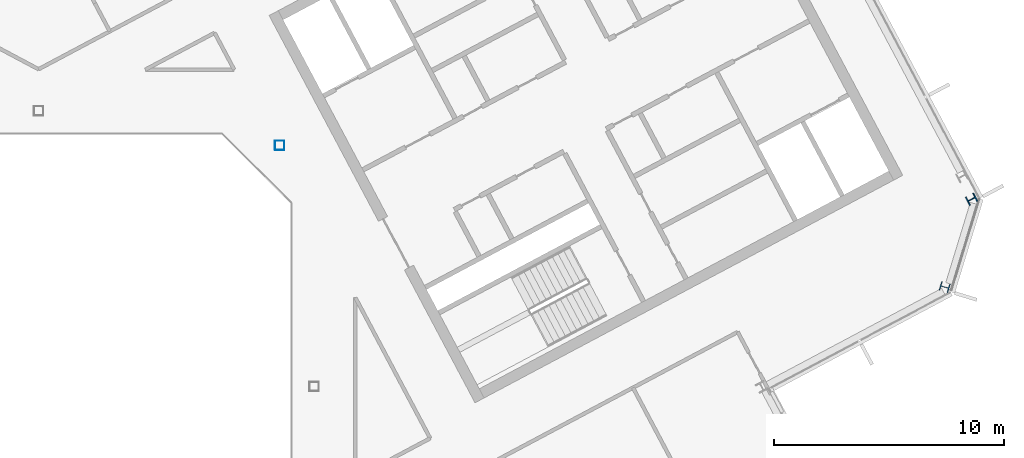
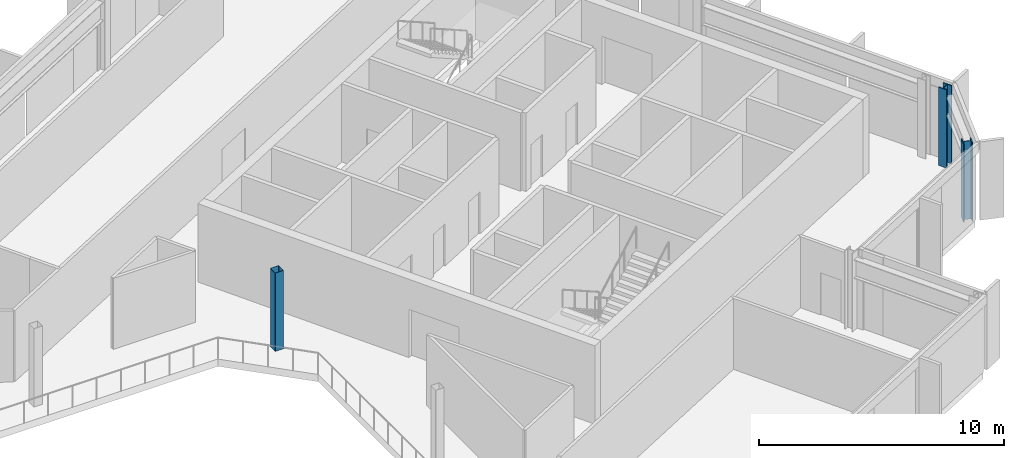
# One storey, part 6 of 25: 3 columns.
"""IFC4 building model written with IfcOpenShell, lengths in metres."""

from ifc_helpers import new_model, si_unit, direction, frame, origin, origin_2d, place, context, subcontext, project, spatial, hollow_rectangle, i_section, extrude, material, material_profile, profile_set, type_object, element, save


model = new_model("IFC4")

# Units and contexts
model_context = context("Model", 3, precision=1e-05, world=origin(), true_north=direction((0.0, 1.0)))
body_context = subcontext(model_context, "Body", "Model", "MODEL_VIEW")
ifc_project = project(units=[si_unit("LENGTHUNIT", "METRE"), si_unit("AREAUNIT", "SQUARE_METRE"), si_unit("VOLUMEUNIT", "CUBIC_METRE"), si_unit("PLANEANGLEUNIT", "RADIAN"), si_unit("MASSUNIT", "GRAM", prefix="KILO")], contexts=[model_context])

# Site, building, storey
site_placement = place(None, origin())
site = spatial("IfcSite", under=ifc_project, at=site_placement, CompositionType="ELEMENT")
building_placement = place(site_placement, origin())
building = spatial("IfcBuilding", under=site, at=building_placement, Name="Cormorant Relay Tower", CompositionType="ELEMENT")
storey_placement = place(building_placement, frame((0.0, 0.0, 281.39990234375)))
storey = spatial("IfcBuildingStorey", under=building, at=storey_placement, Name="L63", CompositionType="ELEMENT", Elevation=281.39990234375)

# Columns
ifc_material_1 = material(Name="Steel ASTM A500 Grade C (Fy 345 MPa)", Category="steel")
ifc_material_profile_1 = material_profile(ifc_material_1, hollow_rectangle(XDim=0.406494140625, YDim=0.406494140625, WallThickness=0.0087890625, InnerFilletRadius=0.00439453125, OuterFilletRadius=0.01318359375, at=origin_2d()), Name="HSS406x406x9")
ifc_profile_set_1 = profile_set([ifc_material_profile_1], Name="Steel ASTM A500 Grade C (Fy 345 MPa)")
column_type_1 = type_object("IfcColumnType", Name="Column HSS406x406x9", PredefinedType="COLUMN", material=ifc_profile_set_1)
column_placement = place(storey_placement, frame((10.5, 10.5, 0.0), z_axis=(0.0, 0.0, 1.0), x_axis=(1.0, 0.0, 0.0)))
element("IfcColumn", 1, at=column_placement, inside=storey, type_object=column_type_1, Name="Column L63-024", PredefinedType="COLUMN", context=body_context, shape_type="SweptSolid", body=[
    extrude(hollow_rectangle(XDim=0.406494140625, YDim=0.406494140625, WallThickness=0.0087890625, InnerFilletRadius=0.00439453125, OuterFilletRadius=0.01318359375, at=origin_2d()), origin(), (0.0, 0.0, 1.0), 3.900146484375),
])
ifc_material_2 = material(Name="Steel ASTM A992 (Fy 345 MPa)", Category="steel")
ifc_material_profile_2 = material_profile(ifc_material_2, i_section(OverallWidth=0.40380859375, OverallDepth=0.406494140625, WebThickness=0.027099609375, FlangeThickness=0.043701171875, FilletRadius=0.01513671875, at=origin_2d()), Name="W360x347")
ifc_profile_set_2 = profile_set([ifc_material_profile_2], Name="Steel ASTM A992 (Fy 345 MPa)")
column_type_2 = type_object("IfcColumnType", Name="Column W360x347", PredefinedType="COLUMN", material=ifc_profile_set_2)
for number, where, z_axis, x_axis, name in (
    (2, (39.464111328125, 4.330078125, 0.0), (0.0, 0.0, 1.0), (0.292371704723, 0.956304755963, 0.0), "Column L63-019"),
    (3, (40.633056640625, 8.153076171875, 0.0), (0.0, 0.0, 1.0), (-0.469471562786, 0.882947592859, 0.0), "Column L63-020"),
):
    element("IfcColumn", number, at=place(storey_placement, frame(where, z_axis=z_axis, x_axis=x_axis)), inside=storey, type_object=column_type_2, Name=name, PredefinedType="COLUMN", context=body_context, shape_type="SweptSolid", body=[
        extrude(i_section(OverallWidth=0.40380859375, OverallDepth=0.406494140625, WebThickness=0.027099609375, FlangeThickness=0.043701171875, FilletRadius=0.01513671875, at=origin_2d()), origin(), (0.0, 0.0, 1.0), 3.900146484375),
    ])

save(model, "model.ifc")
